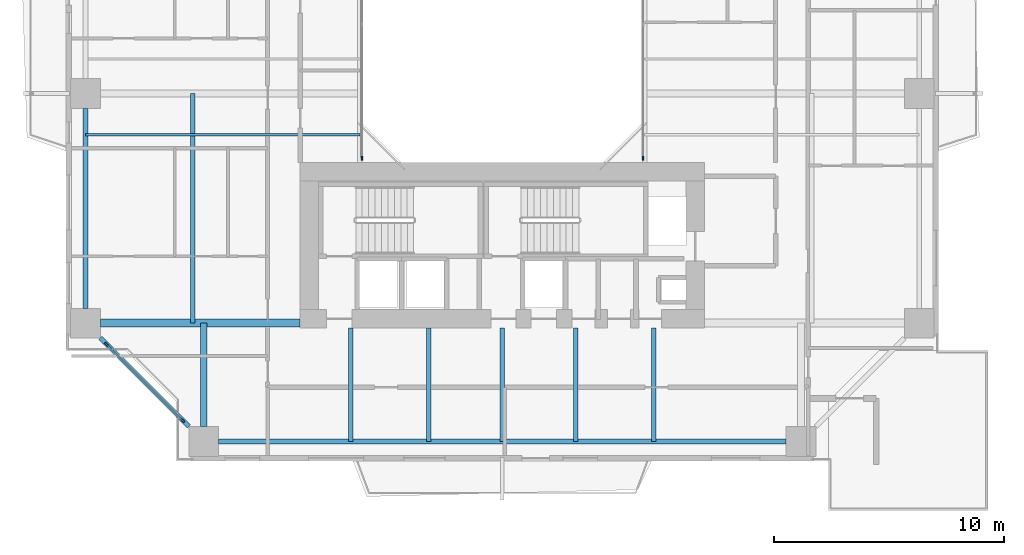
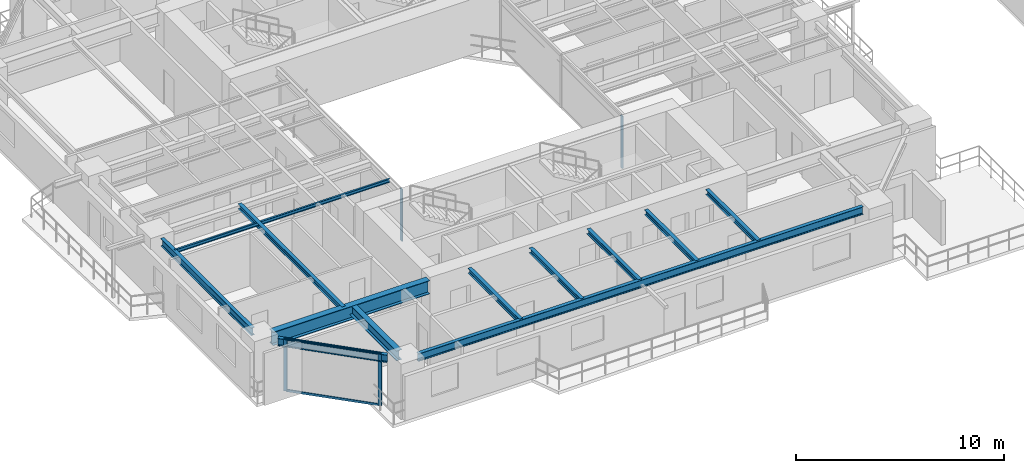
# One storey, part 2 of 23: 12 beams, 6 members, 3 elements without a shape of their own.
"""IFC4 building model written with IfcOpenShell, lengths in metres."""

from ifc_helpers import new_model, si_unit, direction, frame, origin, origin_2d, place, context, subcontext, project, spatial, rectangle, i_section, extrude, source, transform, mapped, material, layer, layer_set, material_profile, profile_set, type_object, element, aggregate, save


model = new_model("IFC4")

# Units and contexts
model_context = context("Model", 3, precision=1e-05, world=origin(), true_north=direction((0.0, 1.0)))
body_context = subcontext(model_context, "Body", "Model", "MODEL_VIEW")
ifc_project = project(units=[si_unit("LENGTHUNIT", "METRE"), si_unit("AREAUNIT", "SQUARE_METRE"), si_unit("VOLUMEUNIT", "CUBIC_METRE"), si_unit("PLANEANGLEUNIT", "RADIAN"), si_unit("MASSUNIT", "GRAM", prefix="KILO"), si_unit("THERMODYNAMICTEMPERATUREUNIT", "KELVIN"), si_unit("POWERUNIT", "WATT")], contexts=[model_context])

# Site, building, storey
site_placement = place(None, origin())
site = spatial("IfcSite", under=ifc_project, at=site_placement, CompositionType="ELEMENT")
building_placement = place(site_placement, origin())
building = spatial("IfcBuilding", under=site, at=building_placement, Name="Qiaomeng Ring Towers", CompositionType="ELEMENT")
storey_placement = place(building_placement, frame((0.0, 0.0, 73.0)))
storey = spatial("IfcBuildingStorey", under=building, at=storey_placement, Name="L20", CompositionType="ELEMENT", Elevation=73.0)

# Beams
ifc_material_1 = material(Name="Steel Q355B", Category="steel")
ifc_material_profile_1 = material_profile(ifc_material_1, i_section(OverallWidth=0.199951171875, OverallDepth=0.449951171875, WebThickness=0.009033203125, FlangeThickness=0.013916015625, FilletRadius=0.01806640625, at=origin_2d()), Name="HN 450x200x9x14")
ifc_profile_set_1 = profile_set([ifc_material_profile_1], Name="Steel Q355B")
beam_type_1 = type_object("IfcBeamType", Name="STR-BM-HN450", PredefinedType="SPANDREL", material=ifc_profile_set_1)
shared_shape_1 = source(origin(), body_context, "Body", "SweptSolid", [
    extrude(i_section(OverallWidth=0.199951171875, OverallDepth=0.449951171875, WebThickness=0.009033203125, FlangeThickness=0.013916015625, FilletRadius=0.01806640625, at=origin_2d()), origin(), (0.0, 0.0, 1.0), 24.7021484375),
])
beam_1_placement = place(storey_placement, frame((6.64892578125, 4.85009765625, 2.844970703125), z_axis=(1.0, 0.0, 0.0), x_axis=(0.0, 1.0, 0.0)))
element("IfcBeam", 1, at=beam_1_placement, inside=storey, type_object=beam_type_1, Name="L20 beam STR-SP-L20-T1-S1-S2", PredefinedType="SPANDREL", context=body_context, shape_type="MappedRepresentation", body=[
    mapped(shared_shape_1, transform((0.0, 0.0, 0.0), x_axis=(1.0, 0.0, 0.0), y_axis=(0.0, 1.0, 0.0), z_axis=(0.0, 0.0, 1.0), scale=1.0)),
])
shared_shape_2 = source(origin(), body_context, "Body", "SweptSolid", [
    extrude(i_section(OverallWidth=0.199951171875, OverallDepth=0.449951171875, WebThickness=0.009033203125, FlangeThickness=0.013916015625, FilletRadius=0.01806640625, at=origin_2d()), origin(), (0.0, 0.0, 1.0), 5.446533203125),
])
beam_2_placement = place(storey_placement, frame((1.499267578125, 9.3505859375, 2.844970703125), z_axis=(0.707106781187, -0.707106781187, 0.0), x_axis=(0.707106781187, 0.707106781187, 0.0)))
element("IfcBeam", 2, at=beam_2_placement, inside=storey, type_object=beam_type_1, Name="L20 beam STR-SP-L20-T1-W1-S1", PredefinedType="SPANDREL", context=body_context, shape_type="MappedRepresentation", body=[
    mapped(shared_shape_2, transform((0.0, 0.0, 0.0), x_axis=(1.0, 0.0, 0.0), y_axis=(0.0, 1.0, 0.0), z_axis=(0.0, 0.0, 1.0), scale=1.0)),
])
shared_shape_3 = source(origin(), body_context, "Body", "SweptSolid", [
    extrude(i_section(OverallWidth=0.199951171875, OverallDepth=0.449951171875, WebThickness=0.009033203125, FlangeThickness=0.013916015625, FilletRadius=0.01806640625, at=origin_2d()), origin(), (0.0, 0.0, 1.0), 8.7021484375),
])
beam_3_placement = place(storey_placement, frame((0.85009765625, 19.35107421875, 2.844970703125), z_axis=(0.0, -1.0, 0.0), x_axis=(1.0, 0.0, 0.0)))
element("IfcBeam", 3, at=beam_3_placement, inside=storey, type_object=beam_type_1, Name="L20 beam STR-SP-L20-T1-W2-W1", PredefinedType="SPANDREL", context=body_context, shape_type="MappedRepresentation", body=[
    mapped(shared_shape_3, transform((0.0, 0.0, 0.0), x_axis=(1.0, 0.0, 0.0), y_axis=(0.0, 1.0, 0.0), z_axis=(0.0, 0.0, 1.0), scale=1.0)),
])
ifc_material_2 = material(Name="Steel Q390GJC", Category="steel")
ifc_material_profile_2 = material_profile(ifc_material_2, i_section(OverallWidth=0.35009765625, OverallDepth=0.800048828125, WebThickness=0.01611328125, FlangeThickness=0.028076171875, at=origin_2d()), Name="WH 800x350x16x28")
ifc_profile_set_2 = profile_set([ifc_material_profile_2], Name="Steel Q390GJC")
beam_type_2 = type_object("IfcBeamType", Name="STR-BM-WH800", PredefinedType="BEAM", material=ifc_profile_set_2)
shared_shape_4 = source(origin(), body_context, "Body", "SweptSolid", [
    extrude(i_section(OverallWidth=0.35009765625, OverallDepth=0.800048828125, WebThickness=0.01611328125, FlangeThickness=0.028076171875, at=origin_2d()), origin(), (0.0, 0.0, 1.0), 8.700927734375),
])
beam_4_placement = place(storey_placement, frame((1.4990234375, 10.0, 2.669921875), z_axis=(1.0, 0.0, 0.0), x_axis=(0.0, 1.0, 0.0)))
element("IfcBeam", 4, at=beam_4_placement, inside=storey, type_object=beam_type_2, Name="L20 beam STR-BM-L20-T1-RAD-W1", PredefinedType="BEAM", context=body_context, shape_type="MappedRepresentation", body=[
    mapped(shared_shape_4, transform((0.0, 0.0, 0.0), x_axis=(1.0, 0.0, 0.0), y_axis=(0.0, 1.0, 0.0), z_axis=(0.0, 0.0, 1.0), scale=1.0)),
])
ifc_material_profile_3 = material_profile(ifc_material_1, i_section(OverallWidth=0.300048828125, OverallDepth=0.587890625, WebThickness=0.011962890625, FlangeThickness=0.02001953125, FilletRadius=0.028076171875, at=origin_2d()), Name="HM 588x300x12x20")
ifc_profile_set_3 = profile_set([ifc_material_profile_3], Name="Steel Q355B")
beam_type_3 = type_object("IfcBeamType", Name="STR-BM-HM588", PredefinedType="BEAM", material=ifc_profile_set_3)
shared_shape_5 = source(origin(), body_context, "Body", "SweptSolid", [
    extrude(i_section(OverallWidth=0.300048828125, OverallDepth=0.587890625, WebThickness=0.011962890625, FlangeThickness=0.02001953125, FilletRadius=0.028076171875, at=origin_2d()), origin(), (0.0, 0.0, 1.0), 4.5009765625),
])
beam_5_placement = place(storey_placement, frame((6.0, 5.4990234375, 2.77587890625), z_axis=(0.0, 1.0, 0.0), x_axis=(-1.0, 0.0, 0.0)))
element("IfcBeam", 5, at=beam_5_placement, inside=storey, type_object=beam_type_3, Name="L20 beam STR-BM-L20-T1-RAD-S1", PredefinedType="BEAM", context=body_context, shape_type="MappedRepresentation", body=[
    mapped(shared_shape_5, transform((0.0, 0.0, 0.0), x_axis=(1.0, 0.0, 0.0), y_axis=(0.0, 1.0, 0.0), z_axis=(0.0, 0.0, 1.0), scale=1.0)),
])
ifc_material_profile_4 = material_profile(ifc_material_1, i_section(OverallWidth=0.199951171875, OverallDepth=0.2939453125, WebThickness=0.008056640625, FlangeThickness=0.011962890625, FilletRadius=0.01806640625, at=origin_2d()), Name="HM 294x200x8x12")
ifc_profile_set_4 = profile_set([ifc_material_profile_4], Name="Steel Q355B")
beam_type_4 = type_object("IfcBeamType", Name="STR-BM-HM294", PredefinedType="JOIST", material=ifc_profile_set_4)
shared_shape_6 = source(origin(), body_context, "Body", "SweptSolid", [
    extrude(i_section(OverallWidth=0.199951171875, OverallDepth=0.2939453125, WebThickness=0.008056640625, FlangeThickness=0.011962890625, FilletRadius=0.01806640625, at=origin_2d()), origin(), (0.0, 0.0, 1.0), 4.949951171875),
])
for number, where, z_axis, x_axis, name in (
    (6, (12.39990234375, 4.85009765625, 2.923095703125), (0.0, 1.0, 0.0), (-1.0, 0.0, 0.0), "L20 beam STR-JST-L20-T1S-1"),
    (7, (15.800048828125, 4.85009765625, 2.923095703125), (0.0, 1.0, 0.0), (-1.0, 0.0, 0.0), "L20 beam STR-JST-L20-T1S-2"),
    (8, (19.0, 4.85009765625, 2.923095703125), (0.0, 1.0, 0.0), (-1.0, 0.0, 0.0), "L20 beam STR-JST-L20-T1S-3"),
    (9, (22.199951171875, 4.85009765625, 2.923095703125), (0.0, 1.0, 0.0), (-1.0, 0.0, 0.0), "L20 beam STR-JST-L20-T1S-4"),
    (10, (25.60009765625, 4.85009765625, 2.923095703125), (0.0, 1.0, 0.0), (-1.0, 0.0, 0.0), "L20 beam STR-JST-L20-T1S-5"),
):
    element("IfcBeam", number, at=place(storey_placement, frame(where, z_axis=z_axis, x_axis=x_axis)), inside=storey, type_object=beam_type_4, Name=name, PredefinedType="JOIST", context=body_context, shape_type="MappedRepresentation", body=[
        mapped(shared_shape_6, transform((0.0, 0.0, 0.0), x_axis=(1.0, 0.0, 0.0), y_axis=(0.0, 1.0, 0.0), z_axis=(0.0, 0.0, 1.0), scale=1.0)),
    ])
ifc_material_profile_5 = material_profile(ifc_material_1, i_section(OverallWidth=0.10009765625, OverallDepth=0.199951171875, WebThickness=0.005615234375, FlangeThickness=0.008056640625, FilletRadius=0.010986328125, at=origin_2d()), Name="HN 200x100x5.5x8")
ifc_profile_set_5 = profile_set([ifc_material_profile_5], Name="Steel Q355B")
beam_type_5 = type_object("IfcBeamType", Name="STR-BM-HN200", PredefinedType="JOIST", material=ifc_profile_set_5)
shared_shape_7 = source(origin(), body_context, "Body", "SweptSolid", [
    extrude(i_section(OverallWidth=0.10009765625, OverallDepth=0.199951171875, WebThickness=0.005615234375, FlangeThickness=0.008056640625, FilletRadius=0.010986328125, at=origin_2d()), origin(), (0.0, 0.0, 1.0), 11.949951171875),
])
beam_6_placement = place(storey_placement, frame((0.85009765625, 18.199951171875, 2.969970703125), z_axis=(1.0, 0.0, 0.0), x_axis=(0.0, 1.0, 0.0)))
element("IfcBeam", 11, at=beam_6_placement, inside=storey, type_object=beam_type_5, Name="L20 beam STR-JST-L20-T1W-1", PredefinedType="JOIST", context=body_context, shape_type="MappedRepresentation", body=[
    mapped(shared_shape_7, transform((0.0, 0.0, 0.0), x_axis=(1.0, 0.0, 0.0), y_axis=(0.0, 1.0, 0.0), z_axis=(0.0, 0.0, 1.0), scale=1.0)),
])
shared_shape_8 = source(origin(), body_context, "Body", "SweptSolid", [
    extrude(i_section(OverallWidth=0.199951171875, OverallDepth=0.2939453125, WebThickness=0.008056640625, FlangeThickness=0.011962890625, FilletRadius=0.01806640625, at=origin_2d()), origin(), (0.0, 0.0, 1.0), 10.0),
])
beam_7_placement = place(storey_placement, frame((5.52490234375, 10.0, 2.923095703125), z_axis=(0.0, 1.0, 0.0), x_axis=(-1.0, 0.0, 0.0)))
element("IfcBeam", 12, at=beam_7_placement, inside=storey, type_object=beam_type_4, Name="L20 beam STR-JST-L20-T1C-WS", PredefinedType="JOIST", context=body_context, shape_type="MappedRepresentation", body=[
    mapped(shared_shape_8, transform((0.0, 0.0, 0.0), x_axis=(1.0, 0.0, 0.0), y_axis=(0.0, 1.0, 0.0), z_axis=(0.0, 0.0, 1.0), scale=1.0)),
])

# Curtain wall, member
ifc_material_3 = material(Name="Fluorocarbon dark-grey aluminium", Category="aluminium")
ifc_layer_1 = layer(ifc_material_3, 0.139892578125, Name="Fluorocarbon dark-grey aluminium")
ifc_layer_set_1 = layer_set([ifc_layer_1], Name="Fluorocarbon dark-grey aluminium")
curtain_wall_type_1 = type_object("IfcCurtainWallType", Name="ARC-CW-4", PredefinedType="NOTDEFINED", material=ifc_layer_set_1)
curtain_wall_1_placement = place(storey_placement, origin())
curtain_wall_1 = element("IfcCurtainWall", 13, at=curtain_wall_1_placement, inside=storey, type_object=curtain_wall_type_1, Name="L20 Curtain Wall CW4", PredefinedType="NOTDEFINED")
ifc_material_profile_6 = material_profile(ifc_material_3, rectangle(XDim=0.06494140625, YDim=0.159912109375, at=origin_2d()), Name="ALU MULL 65x160")
ifc_profile_set_6 = profile_set([ifc_material_profile_6], Name="Fluorocarbon dark-grey aluminium")
member_type_1 = type_object("IfcMemberType", Name="ARC-CWM-140", PredefinedType="MULLION", material=ifc_profile_set_6)
shared_shape_9 = source(origin(), body_context, "Body", "SweptSolid", [
    extrude(rectangle(XDim=0.06494140625, YDim=0.159912109375, at=origin_2d()), origin(), (0.0, 0.0, 1.0), 3.070068359375),
])
member_1_placement = place(storey_placement, frame((12.8798828125, 17.1826171875, 0.0), z_axis=(0.0, 0.0, 1.0), x_axis=(-1.0, 0.0, 0.0)))
member_1 = element("IfcMember", 14, at=member_1_placement, type_object=member_type_1, Name="CW4 mullion 1", PredefinedType="MULLION", context=body_context, shape_type="MappedRepresentation", body=[
    mapped(shared_shape_9, transform((0.0, 0.0, 0.0), x_axis=(1.0, 0.0, 0.0), y_axis=(0.0, 1.0, 0.0), z_axis=(0.0, 0.0, 1.0), scale=1.0)),
])
aggregate(curtain_wall_1, [member_1])

curtain_wall_2_placement = place(storey_placement, origin())
curtain_wall_2 = element("IfcCurtainWall", 15, at=curtain_wall_2_placement, inside=storey, type_object=curtain_wall_type_1, Name="L20 Curtain Wall CW4", PredefinedType="NOTDEFINED")
member_2_placement = place(storey_placement, frame((25.1201171875, 17.1826171875, 0.0), z_axis=(0.0, 0.0, 1.0), x_axis=(-1.0, 0.0, 0.0)))
member_2 = element("IfcMember", 16, at=member_2_placement, type_object=member_type_1, Name="CW4 mullion 1", PredefinedType="MULLION", context=body_context, shape_type="MappedRepresentation", body=[
    mapped(shared_shape_9, transform((0.0, 0.0, 0.0), x_axis=(1.0, 0.0, 0.0), y_axis=(0.0, 1.0, 0.0), z_axis=(0.0, 0.0, 1.0), scale=1.0)),
])
aggregate(curtain_wall_2, [member_2])

# Curtain wall, members
ifc_layer_2 = layer(ifc_material_3, 0.159912109375, Name="Fluorocarbon dark-grey aluminium")
ifc_layer_set_2 = layer_set([ifc_layer_2], Name="Fluorocarbon dark-grey aluminium")
curtain_wall_type_2 = type_object("IfcCurtainWallType", Name="ARC-CW-2", PredefinedType="NOTDEFINED", material=ifc_layer_set_2)
curtain_wall_3_placement = place(storey_placement, origin())
curtain_wall_3 = element("IfcCurtainWall", 17, at=curtain_wall_3_placement, inside=storey, type_object=curtain_wall_type_2, Name="L20 Curtain Wall CW2", PredefinedType="NOTDEFINED")
ifc_material_profile_7 = material_profile(ifc_material_3, rectangle(XDim=0.070068359375, YDim=0.179931640625, at=origin_2d()), Name="ALU MULL 70x180")
ifc_profile_set_7 = profile_set([ifc_material_profile_7], Name="Fluorocarbon dark-grey aluminium")
member_type_2 = type_object("IfcMemberType", Name="ARC-CWM-160", PredefinedType="MULLION", material=ifc_profile_set_7)
shared_shape_10 = source(origin(), body_context, "Body", "SweptSolid", [
    extrude(rectangle(XDim=0.070068359375, YDim=0.179931640625, at=origin_2d()), origin(), (0.0, 0.0, 1.0), 3.070068359375),
])
member_3_placement = place(storey_placement, frame((1.7646484375, 9.085205078125, 0.0), z_axis=(0.0, 0.0, 1.0), x_axis=(0.707106781187, 0.707106781187, 0.0)))
member_3 = element("IfcMember", 18, at=member_3_placement, type_object=member_type_2, Name="CW2 mullion 1", PredefinedType="MULLION", context=body_context, shape_type="MappedRepresentation", body=[
    mapped(shared_shape_10, transform((0.0, 0.0, 0.0), x_axis=(1.0, 0.0, 0.0), y_axis=(0.0, 1.0, 0.0), z_axis=(0.0, 0.0, 1.0), scale=1.0)),
])
member_4_placement = place(storey_placement, frame((5.085205078125, 5.7646484375, 0.0), z_axis=(0.0, 0.0, 1.0), x_axis=(0.707106781187, 0.707106781187, 0.0)))
member_4 = element("IfcMember", 19, at=member_4_placement, type_object=member_type_2, Name="CW2 mullion 2", PredefinedType="MULLION", context=body_context, shape_type="MappedRepresentation", body=[
    mapped(shared_shape_10, transform((0.0, 0.0, 0.0), x_axis=(1.0, 0.0, 0.0), y_axis=(0.0, 1.0, 0.0), z_axis=(0.0, 0.0, 1.0), scale=1.0)),
])
ifc_material_profile_8 = material_profile(ifc_material_3, rectangle(XDim=0.06494140625, YDim=0.1298828125, at=origin_2d()), Name="ALU TRAN 65x130")
ifc_profile_set_8 = profile_set([ifc_material_profile_8], Name="Fluorocarbon dark-grey aluminium")
member_type_3 = type_object("IfcMemberType", Name="ARC-CWT-120", PredefinedType="USERDEFINED", material=ifc_profile_set_8)
shared_shape_11 = source(origin(), body_context, "Body", "SweptSolid", [
    extrude(rectangle(XDim=0.06494140625, YDim=0.1298828125, at=origin_2d()), origin(), (0.0, 0.0, 1.0), 4.6259765625),
])
member_5_placement = place(storey_placement, frame((1.78955078125, 9.060546875, 0.032470703125), z_axis=(0.707106781187, -0.707106781187, 0.0), x_axis=(0.707106781187, 0.707106781187, 0.0)))
member_5 = element("IfcMember", 20, at=member_5_placement, type_object=member_type_3, Name="CW2 transom 1.1", ObjectType="TRANSOM", PredefinedType="USERDEFINED", context=body_context, shape_type="MappedRepresentation", body=[
    mapped(shared_shape_11, transform((0.0, 0.0, 0.0), x_axis=(1.0, 0.0, 0.0), y_axis=(0.0, 1.0, 0.0), z_axis=(0.0, 0.0, 1.0), scale=1.0)),
])
member_6_placement = place(storey_placement, frame((1.78955078125, 9.060546875, 3.03759765625), z_axis=(0.707106781187, -0.707106781187, 0.0), x_axis=(0.707106781187, 0.707106781187, 0.0)))
member_6 = element("IfcMember", 21, at=member_6_placement, type_object=member_type_3, Name="CW2 transom 1.2", ObjectType="TRANSOM", PredefinedType="USERDEFINED", context=body_context, shape_type="MappedRepresentation", body=[
    mapped(shared_shape_11, transform((0.0, 0.0, 0.0), x_axis=(1.0, 0.0, 0.0), y_axis=(0.0, 1.0, 0.0), z_axis=(0.0, 0.0, 1.0), scale=1.0)),
])
aggregate(curtain_wall_3, [member_3, member_4, member_5, member_6])

save(model, "model.ifc")
